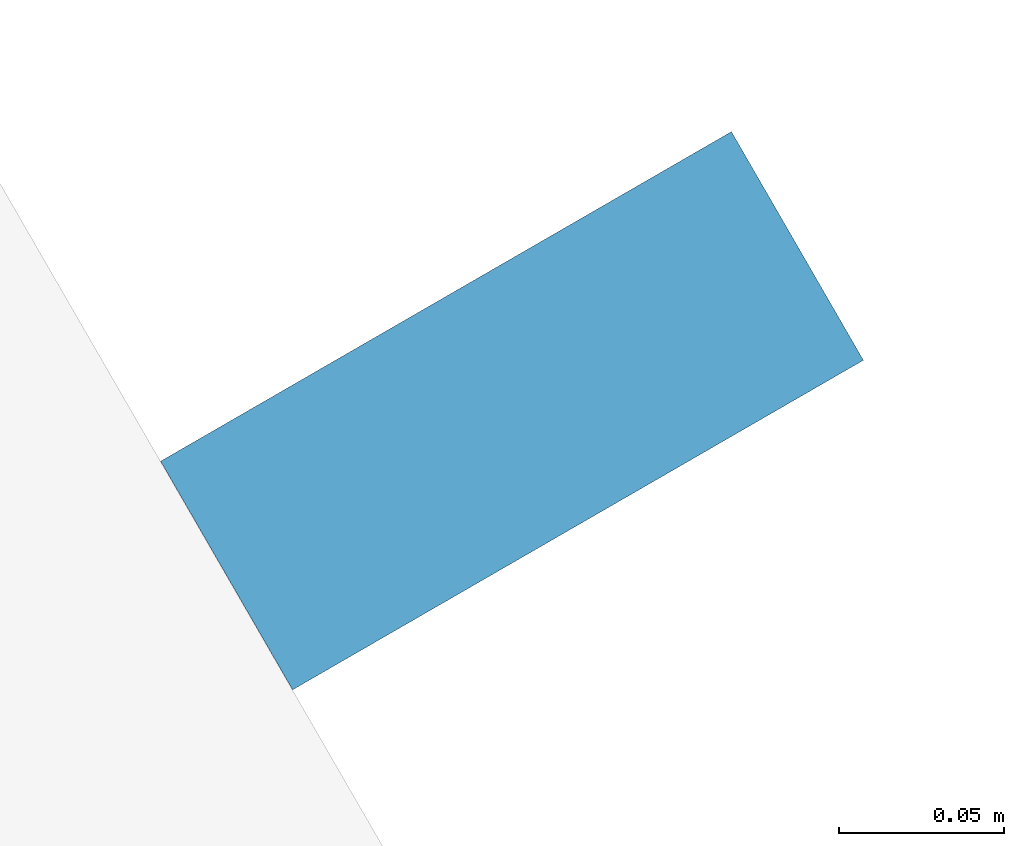
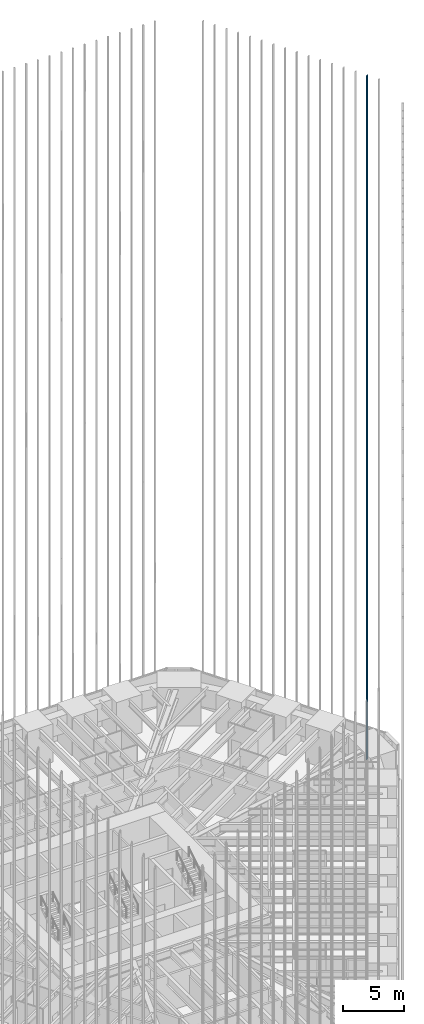
# One storey, part 199 of 256: 1 member, 1 element without a shape of its own.
"""IFC4 building model written with IfcOpenShell, lengths in metres."""

import ifcopenshell
import ifcopenshell.guid

model = None  # the IFC model being written
_history = None  # IfcOwnerHistory: only IFC2X3 demands one
_inside = {}  # id of a spatial element -> (the spatial element, [elements in it])
_under = {}  # id of a project, library or spatial element -> (it, [spatial elements below it])
_declared = {}  # id of a project -> (the project, [libraries it declares])
_typed = {}  # id of a type object -> (the type object, [elements of that type])
_made_of = {}  # id of a material, layer set ... -> (it, [elements and type objects made of it])


def new_model(schema):
    """Start an empty IFC model of exactly this schema.

    Asked for "IFC4X3", IfcOpenShell would pick the latest addendum, in which some entities
    have other attributes; the version numbers below select the first issue.
    IFC2X3 requires an IfcOwnerHistory on every rooted entity: one is made here for all.
    """
    global model, _history
    if schema == "IFC4X3":
        model = ifcopenshell.file(schema_version=(4, 3, 0, 0))
    else:
        model = ifcopenshell.file(schema=schema)
    _inside.clear()
    _under.clear()
    _declared.clear()
    _typed.clear()
    _made_of.clear()
    _history = None
    if model.schema == "IFC2X3":
        org = make("IfcOrganization", Name="unknown")
        user = make(
            "IfcPersonAndOrganization",
            ThePerson=make("IfcPerson", FamilyName="unknown"),
            TheOrganization=org,
        )
        app = make(
            "IfcApplication",
            ApplicationDeveloper=org,
            Version="unknown",
            ApplicationFullName="unknown",
            ApplicationIdentifier="unknown",
        )
        _history = make(
            "IfcOwnerHistory",
            OwningUser=user,
            OwningApplication=app,
            ChangeAction="ADDED",
            CreationDate=0,
        )
    return model


def make(cls, **values):
    """One entity of the class cls with the attributes given. An attribute that is None is left unset."""
    return model.create_entity(
        cls, **{name: value for name, value in values.items() if value is not None}
    )


def rooted(cls, **values):
    """An entity with a GlobalId (a new one), such as an element, a storey or a relation."""
    return make(cls, GlobalId=ifcopenshell.guid.new(), OwnerHistory=_history, **values)


def si_unit(unit_type, name, prefix=None):
    """IfcSIUnit, for example si_unit("LENGTHUNIT", "METRE", prefix="MILLI")."""
    return make("IfcSIUnit", UnitType=unit_type, Prefix=prefix, Name=name)


def assignment(units):
    """IfcUnitAssignment: the units of a project."""
    return None if units is None else make("IfcUnitAssignment", Units=units)


def point(xyz):
    """IfcCartesianPoint."""
    return None if xyz is None else make("IfcCartesianPoint", Coordinates=xyz)


def direction(xyz):
    """IfcDirection."""
    return None if xyz is None else make("IfcDirection", DirectionRatios=xyz)


def frame(location, z_axis=None, x_axis=None):
    """IfcAxis2Placement3D, a coordinate frame: its origin and axes. An axis left out is left unset."""
    return make(
        "IfcAxis2Placement3D",
        Location=point(location),
        Axis=direction(z_axis),
        RefDirection=direction(x_axis),
    )


def frame_2d(location, x_axis=None):
    """IfcAxis2Placement2D, a coordinate frame in the plane: its origin and x axis."""
    return make(
        "IfcAxis2Placement2D", Location=point(location), RefDirection=direction(x_axis)
    )


def origin():
    """The frame at (0, 0, 0) with its axes left unset."""
    return frame((0.0, 0.0, 0.0))


def origin_2d():
    """The frame at (0, 0) in the plane with its x axis left unset."""
    return frame_2d((0.0, 0.0))


def place(relative_to, where):
    """IfcLocalPlacement: puts the frame where relative to a parent placement (None: the world)."""
    return make(
        "IfcLocalPlacement", PlacementRelTo=relative_to, RelativePlacement=where
    )


def context(
    kind, dimensions, precision=None, world=None, true_north=None, identifier=None
):
    """IfcGeometricRepresentationContext, for example the 3D "Model" context."""
    return make(
        "IfcGeometricRepresentationContext",
        ContextIdentifier=identifier,
        ContextType=kind,
        CoordinateSpaceDimension=dimensions,
        Precision=precision,
        WorldCoordinateSystem=world,
        TrueNorth=true_north,
    )


def subcontext(parent, identifier, kind, view, scale=None):
    """IfcGeometricRepresentationSubContext, for example "Body" below "Model"."""
    return make(
        "IfcGeometricRepresentationSubContext",
        ContextIdentifier=identifier,
        ContextType=kind,
        ParentContext=parent,
        TargetScale=scale,
        TargetView=view,
    )


def project(units=None, contexts=None):
    """IfcProject with its units and contexts."""
    return rooted(
        "IfcProject",
        Name="project",
        RepresentationContexts=contexts,
        UnitsInContext=assignment(units),
    )


def spatial(cls, under=None, at=None, **own):
    """A site, building, storey or space (cls), placed at a placement, below another one or the project."""
    s = rooted(cls, ObjectPlacement=at, **own)
    if under is not None:
        _under.setdefault(under.id(), (under, []))[1].append(s)
    return s


def profile(cls, at=None, kind="AREA", **sizes):
    """A parametric profile (cls). Its sizes go by their IFC names, for example OverallWidth=200.0."""
    return make(cls, ProfileType=kind, Position=at, **sizes)


def rectangle(**sizes):
    """IfcRectangleProfileDef."""
    return profile("IfcRectangleProfileDef", **sizes)


def extrude(swept, where, along, depth):
    """IfcExtrudedAreaSolid: the profile swept, set in the frame where, extruded along a direction by depth."""
    return make(
        "IfcExtrudedAreaSolid",
        SweptArea=swept,
        Position=where,
        ExtrudedDirection=direction(along),
        Depth=depth,
    )


def shape(context_of_items, identifier, shape_type, items):
    """IfcShapeRepresentation: the items that make up one representation, for example the "Body"."""
    return make(
        "IfcShapeRepresentation",
        ContextOfItems=context_of_items,
        RepresentationIdentifier=identifier,
        RepresentationType=shape_type,
        Items=items,
    )


def material(Name=None, Category=None):
    """IfcMaterial."""
    return make("IfcMaterial", Name=Name, Category=Category)


def material_profile(
    of_material, cross_section, Name=None, Category=None, Priority=None
):
    """IfcMaterialProfile: a cross section and its material."""
    return make(
        "IfcMaterialProfile",
        Name=Name,
        Material=of_material,
        Profile=cross_section,
        Priority=Priority,
        Category=Category,
    )


def profile_set(profiles, Name=None, composite=None):
    """IfcMaterialProfileSet."""
    return make(
        "IfcMaterialProfileSet",
        Name=Name,
        MaterialProfiles=profiles,
        CompositeProfile=composite,
    )


def made_of(thing, what):
    """Note that an element or type object is made of a material, layer set ...; save() writes the relation."""
    if what is not None:
        _made_of.setdefault(what.id(), (what, []))[1].append(thing)
    return thing


def type_object(cls, material=None, **own):
    """A type object (cls), such as IfcWallType, which elements share."""
    return made_of(rooted(cls, **own), material)


def element(
    cls,
    number,
    at=None,
    inside=None,
    cuts=None,
    type_object=None,
    material=None,
    context=None,
    identifier="Body",
    shape_type=None,
    held_by="IfcProductDefinitionShape",
    body=None,
    shapes=None,
    **own,
):
    """One element of the class cls, such as IfcWall. Its Tag is "e" and its number.

    at: its placement. inside: the storey or other place that contains it. cuts: it is an
    opening in that element (IfcRelVoidsElement). A single representation is given by context,
    identifier, shape_type and body (its items); several are given by shapes. held_by: the class
    of the entity that holds the representations. save() writes the other relations.
    """
    e = rooted(cls, Tag="e%d" % number, ObjectPlacement=at, **own)
    if body is not None:
        shapes = [shape(context, identifier, shape_type, body)]
    if shapes is not None:
        e.Representation = make(held_by, Representations=shapes)
    if inside is not None:
        _inside.setdefault(inside.id(), (inside, []))[1].append(e)
    if cuts is not None:
        rooted(
            "IfcRelVoidsElement", RelatingBuildingElement=cuts, RelatedOpeningElement=e
        )
    if type_object is not None:
        _typed.setdefault(type_object.id(), (type_object, []))[1].append(e)
    return made_of(e, material)


def aggregate(whole, parts):
    """IfcRelAggregates: a whole, such as a stair, and the parts it consists of."""
    return rooted("IfcRelAggregates", RelatingObject=whole, RelatedObjects=parts)


def save(model, path):
    """Write the relations noted so far, then the file.

    IfcRelAggregates (storeys below a building ...), IfcRelContainedInSpatialStructure (elements
    in a storey), IfcRelDefinesByType, IfcRelAssociatesMaterial and IfcRelDeclares: one each for
    every whole, place, type object, material and project.
    """
    for whole, parts in _under.values():
        aggregate(whole, parts)
    for where, things in _inside.values():
        rooted(
            "IfcRelContainedInSpatialStructure",
            RelatedElements=things,
            RelatingStructure=where,
        )
    for kind, things in _typed.values():
        rooted("IfcRelDefinesByType", RelatedObjects=things, RelatingType=kind)
    for what, things in _made_of.values():
        rooted("IfcRelAssociatesMaterial", RelatedObjects=things, RelatingMaterial=what)
    for by, libraries in _declared.values():
        rooted("IfcRelDeclares", RelatingContext=by, RelatedDefinitions=libraries)
    model.write(path)


model = new_model("IFC4")

# Units and contexts
model_context = context("Model", 3, precision=1e-05, world=origin(), true_north=direction((0.0, 1.0)))
body_context = subcontext(model_context, "Body", "Model", "MODEL_VIEW")
ifc_project = project(units=[si_unit("LENGTHUNIT", "METRE"), si_unit("AREAUNIT", "SQUARE_METRE"), si_unit("VOLUMEUNIT", "CUBIC_METRE"), si_unit("PLANEANGLEUNIT", "RADIAN"), si_unit("MASSUNIT", "GRAM", prefix="KILO")], contexts=[model_context])

# Site, building, storey
site_placement = place(None, origin())
site = spatial("IfcSite", under=ifc_project, at=site_placement, CompositionType="ELEMENT")
building_placement = place(site_placement, origin())
building = spatial("IfcBuilding", under=site, at=building_placement, Name="Sandreach Pilgrim Tower", CompositionType="ELEMENT")
storey_placement = place(building_placement, frame((0.0, 0.0, 23.0)))
storey = spatial("IfcBuildingStorey", under=building, at=storey_placement, Name="L04", CompositionType="ELEMENT", Elevation=23.0)

# Curtain wall, member
ifc_material_1 = material(Name="Aluminium framed curtain wall", Category="aluminium")
curtain_wall_type = type_object("IfcCurtainWallType", Name="Hostel tower curtain wall", PredefinedType="NOTDEFINED", material=ifc_material_1)
curtain_wall_placement = place(storey_placement, origin())
curtain_wall = element("IfcCurtainWall", 1, at=curtain_wall_placement, inside=storey, type_object=curtain_wall_type, Name="CW-1 L04 NE", PredefinedType="NOTDEFINED")
ifc_material_2 = material(Name="Extruded terracotta on aluminium core", Category="masonry")
ifc_material_profile = material_profile(ifc_material_2, rectangle(XDim=0.080078125, YDim=0.199951171875, at=origin_2d()), Name="TBE 80X200")
ifc_profile_set = profile_set([ifc_material_profile], Name="Extruded terracotta on aluminium core")
member_type = type_object("IfcMemberType", Name="Terracotta baguette east", PredefinedType="USERDEFINED", material=ifc_profile_set)
member_placement = place(storey_placement, frame((29.931884765625, 8.978271484375, 0.0), z_axis=(0.0, 0.0, 1.0), x_axis=(0.5, -0.866025403784, 0.0)))
member = element("IfcMember", 2, at=member_placement, type_object=member_type, Name="Baguette Z1 NE15", ObjectType="BAGUETTE", PredefinedType="USERDEFINED", context=body_context, shape_type="SweptSolid", body=[
    extrude(rectangle(XDim=0.080078125, YDim=0.199951171875, at=origin_2d()), origin(), (0.0, 0.0, 1.0), 68.239990234375),
])
aggregate(curtain_wall, [member])

save(model, "model.ifc")
